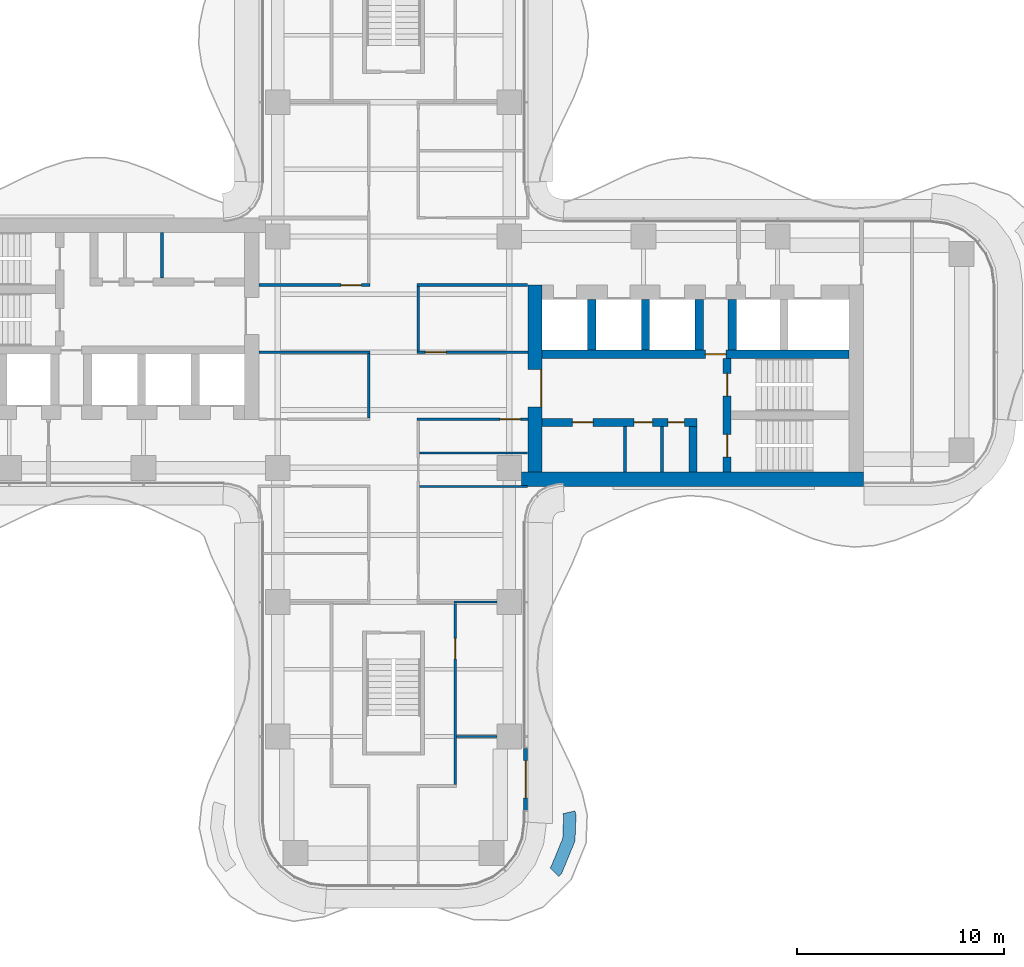
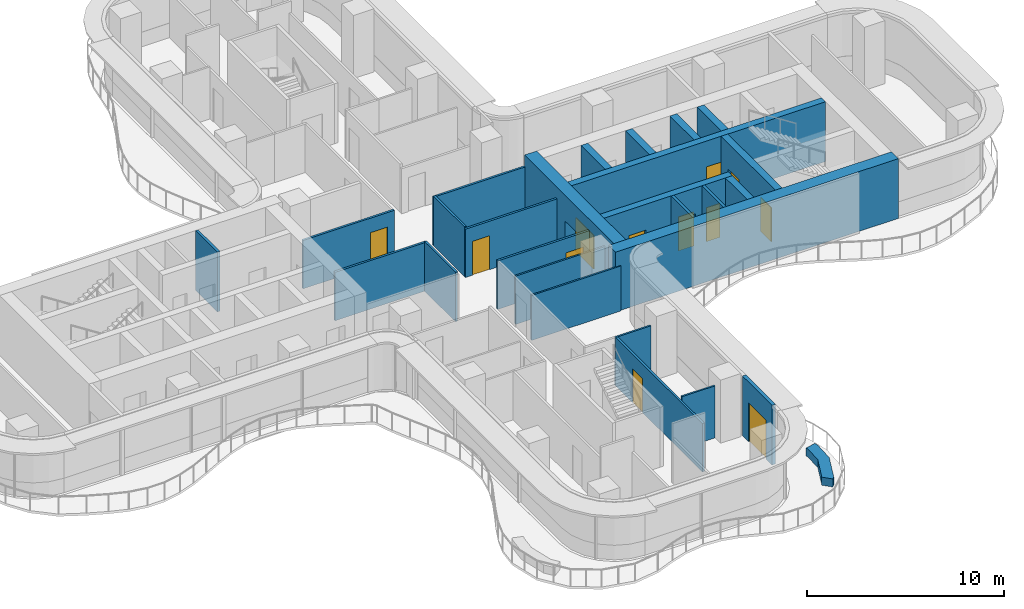
# One storey, part 14 of 18: 27 walls, 12 doors, 12 openings.
"""IFC4 building model written with IfcOpenShell, lengths in metres."""

from ifc_helpers import new_model, si_unit, direction, frame, frame_2d, origin, place, context, subcontext, project, spatial, polyline, rectangle, outline, extrude, source, transform, mapped, material, layer, layer_set, type_object, element, fill, save


model = new_model("IFC4")

# Units and contexts
model_context = context("Model", 3, precision=1e-05, world=origin(), true_north=direction((0.0, 1.0)))
body_context = subcontext(model_context, "Body", "Model", "MODEL_VIEW")
ifc_project = project(units=[si_unit("LENGTHUNIT", "METRE"), si_unit("AREAUNIT", "SQUARE_METRE"), si_unit("VOLUMEUNIT", "CUBIC_METRE"), si_unit("PLANEANGLEUNIT", "RADIAN"), si_unit("MASSUNIT", "GRAM", prefix="KILO")], contexts=[model_context])

# Site, building, storey
site_placement = place(None, origin())
site = spatial("IfcSite", under=ifc_project, at=site_placement, CompositionType="ELEMENT")
building_placement = place(site_placement, origin())
building = spatial("IfcBuilding", under=site, at=building_placement, Name="Trellis Farm Tower", CompositionType="ELEMENT")
storey_placement = place(building_placement, frame((0.0, 0.0, 177.60009765625)))
storey = spatial("IfcBuildingStorey", under=building, at=storey_placement, Name="L38", CompositionType="ELEMENT", Elevation=177.60009765625)

# Wall
ifc_material_1 = material(Name="Sandstone faced masonry planter", Category="masonry")
ifc_layer_1 = layer(ifc_material_1, 0.60009765625)
ifc_layer_set_1 = layer_set([ifc_layer_1], Name="PLANTER BED 600")
wall_type_1 = type_object("IfcWallType", Name="PLANTER BED 600", PredefinedType="USERDEFINED", material=ifc_layer_set_1)
wall_1_placement = place(storey_placement, origin())
element("IfcWall", 1, at=wall_1_placement, inside=storey, type_object=wall_type_1, Name="PLANTER bed", ObjectType="PLANTER", PredefinedType="USERDEFINED", context=body_context, shape_type="SweptSolid", body=[
    extrude(outline(polyline([(8.7880859375, -23.66845703125), (8.131591796875, -25.26220703125), (7.998046875, -25.390869140625), (7.58154296875, -24.958984375), (7.62451171875, -24.91748046875), (8.192626953125, -23.53857421875), (8.23388671875, -22.481201171875), (8.201904296875, -22.3427734375), (8.7861328125, -22.207275390625), (8.836669921875, -22.424072265625), (8.7880859375, -23.66845703125)])), origin(), (0.0, 0.0, 1.0), 0.5),
])

# Wall, opening, door
ifc_material_2 = material(Name="Concrete C70/85", Category="concrete")
ifc_layer_2 = layer(ifc_material_2, 0.699951171875)
ifc_layer_set_2 = layer_set([ifc_layer_2], Name="CORE OUTER WALL 700 CONCRETE C70/85")
wall_type_2 = type_object("IfcWallType", Name="CORE OUTER WALL 700 CONCRETE C70/85", PredefinedType="SHEAR", material=ifc_layer_set_2)
shared_shape_1 = source(origin(), body_context, "Body", "SweptSolid", [
    extrude(rectangle(XDim=9.050048828125, YDim=0.699951171875, at=frame_2d((4.52490234375, 0.0))), origin(), (0.0, 0.0, 1.0), 3.699951171875),
])
wall_2_placement = place(storey_placement, frame((6.85009765625, -5.800048828125, 0.0), z_axis=(0.0, 0.0, 1.0), x_axis=(0.0, 1.0, 0.0)))
wall_2 = element("IfcWall", 2, at=wall_2_placement, inside=storey, type_object=wall_type_2, Name="Core wall", PredefinedType="SHEAR", context=body_context, shape_type="MappedRepresentation", body=[
    mapped(shared_shape_1, transform((0.0, 0.0, 0.0))),
])
shared_shape_2 = source(origin(), body_context, "Body", "SweptSolid", [
    extrude(rectangle(XDim=1.800048828125, YDim=2.10009765625, at=frame_2d((0.89990234375, 1.050048828125))), frame((0.0, 0.360107421875, 0.0), z_axis=(0.0, -1.0, 0.0), x_axis=(1.0, 0.0, 0.0)), (0.0, 0.0, 1.0), 0.72021484375),
])
opening_1_placement = place(wall_2_placement, frame((3.14990234375, 0.0, 0.0)))
opening_1 = element("IfcOpeningElement", 3, at=opening_1_placement, cuts=wall_2, Name="Opening DC1", PredefinedType="OPENING", context=body_context, shape_type="MappedRepresentation", body=[
    mapped(shared_shape_2, transform((0.0, 0.0, 0.0))),
])
ifc_material_3 = material(Name="Steel", Category="steel")
door_type_1 = type_object("IfcDoorType", Name="CORE FIRE DOOR DOUBLE 1800 X 2100", OperationType="DOUBLE_DOOR_SINGLE_SWING", PredefinedType="DOOR", material=ifc_material_3)
shared_shape_3 = source(origin(), body_context, "Body", "SweptSolid", [
    extrude(rectangle(XDim=1.800048828125, YDim=2.10009765625, at=frame_2d((0.89990234375, 1.050048828125))), frame((0.0, -0.27490234375, 0.0), z_axis=(0.0, -1.0, 0.0), x_axis=(1.0, 0.0, 0.0)), (0.0, 0.0, 1.0), 0.050048828125),
])
door_1_placement = place(opening_1_placement, origin())
door_1 = element("IfcDoor", 4, at=door_1_placement, inside=storey, type_object=door_type_1, Name="Core door", OperationType="DOUBLE_DOOR_SINGLE_SWING", OverallHeight=2.10009765625, OverallWidth=1.800048828125, PredefinedType="DOOR", context=body_context, shape_type="MappedRepresentation", body=[
    mapped(shared_shape_3, transform((0.0, 0.0, 0.0))),
])
fill(opening_1, door_1)

# Walls
ifc_layer_3 = layer(ifc_material_2, 0.39990234375)
ifc_layer_set_3 = layer_set([ifc_layer_3], Name="CORE INNER WALL 400 CONCRETE C70/85")
wall_type_3 = type_object("IfcWallType", Name="CORE INNER WALL 400 CONCRETE C70/85", PredefinedType="SHEAR", material=ifc_layer_set_3)
shared_shape_4 = source(origin(), body_context, "Body", "SweptSolid", [
    extrude(rectangle(XDim=2.449951171875, YDim=0.39990234375, at=frame_2d((1.22509765625, 0.0))), origin(), (0.0, 0.0, 1.0), 3.699951171875),
])
for number, where, z_axis, x_axis, name in (
    (5, (9.60009765625, 0.10009765625, 0.0), (0.0, 0.0, 1.0), (0.0, 1.0, 0.0), "Core wall"),
    (6, (12.199951171875, 0.10009765625, 0.0), (0.0, 0.0, 1.0), (0.0, 1.0, 0.0), "Core wall"),
    (7, (14.800048828125, 0.10009765625, 0.0), (0.0, 0.0, 1.0), (0.0, 1.0, 0.0), "Core wall"),
    (8, (16.39990234375, 0.10009765625, 0.0), (0.0, 0.0, 1.0), (0.0, 1.0, 0.0), "Core wall"),
):
    element("IfcWall", number, at=place(storey_placement, frame(where, z_axis=z_axis, x_axis=x_axis)), inside=storey, type_object=wall_type_3, Name=name, PredefinedType="SHEAR", context=body_context, shape_type="MappedRepresentation", body=[
        mapped(shared_shape_4, transform((0.0, 0.0, 0.0))),
    ])
shared_shape_5 = source(origin(), body_context, "Body", "SweptSolid", [
    extrude(rectangle(XDim=16.550048828125, YDim=0.699951171875, at=frame_2d((8.27490234375, 0.0))), origin(), (0.0, 0.0, 1.0), 3.699951171875),
])
wall_3_placement = place(storey_placement, frame((6.199951171875, -6.14990234375, 0.0), z_axis=(0.0, 0.0, 1.0), x_axis=(1.0, 0.0, 0.0)))
element("IfcWall", 9, at=wall_3_placement, inside=storey, type_object=wall_type_2, Name="Core wall", PredefinedType="SHEAR", context=body_context, shape_type="MappedRepresentation", body=[
    mapped(shared_shape_5, transform((0.0, 0.0, 0.0))),
])

# Wall, openings, doors
shared_shape_6 = source(origin(), body_context, "Body", "SweptSolid", [
    extrude(rectangle(XDim=7.5, YDim=0.39990234375, at=frame_2d((3.75, 0.0))), origin(), (0.0, 0.0, 1.0), 3.699951171875),
])
wall_4_placement = place(storey_placement, frame((7.199951171875, -3.39990234375, 0.0), z_axis=(0.0, 0.0, 1.0), x_axis=(1.0, 0.0, 0.0)))
wall_4 = element("IfcWall", 10, at=wall_4_placement, inside=storey, type_object=wall_type_3, Name="Core wall", PredefinedType="SHEAR", context=body_context, shape_type="MappedRepresentation", body=[
    mapped(shared_shape_6, transform((0.0, 0.0, 0.0))),
])
shared_shape_7 = source(origin(), body_context, "Body", "SweptSolid", [
    extrude(rectangle(XDim=1.0, YDim=2.10009765625, at=frame_2d((0.5, 1.050048828125))), frame((0.0, 0.2099609375, 0.0), z_axis=(0.0, -1.0, 0.0), x_axis=(1.0, 0.0, 0.0)), (0.0, 0.0, 1.0), 0.419921875),
])
opening_2_placement = place(wall_4_placement, frame((1.46240234375, 0.0, 0.0)))
opening_2 = element("IfcOpeningElement", 11, at=opening_2_placement, cuts=wall_4, Name="Opening DC55", PredefinedType="OPENING", context=body_context, shape_type="MappedRepresentation", body=[
    mapped(shared_shape_7, transform((0.0, 0.0, 0.0))),
])
shared_shape_8 = source(origin(), body_context, "Body", "SweptSolid", [
    extrude(rectangle(XDim=0.89990234375, YDim=2.10009765625, at=frame_2d((0.449951171875, 1.050048828125))), frame((0.0, 0.2099609375, 0.0), z_axis=(0.0, -1.0, 0.0), x_axis=(1.0, 0.0, 0.0)), (0.0, 0.0, 1.0), 0.419921875),
])
opening_3_placement = place(wall_4_placement, frame((4.449951171875, 0.0, 0.0)))
opening_3 = element("IfcOpeningElement", 12, at=opening_3_placement, cuts=wall_4, Name="Opening DC60", PredefinedType="OPENING", context=body_context, shape_type="MappedRepresentation", body=[
    mapped(shared_shape_8, transform((0.0, 0.0, 0.0))),
])
shared_shape_9 = source(origin(), body_context, "Body", "SweptSolid", [
    extrude(rectangle(XDim=0.800048828125, YDim=2.10009765625, at=frame_2d((0.39990234375, 1.050048828125))), frame((0.0, 0.2099609375, 0.0), z_axis=(0.0, -1.0, 0.0), x_axis=(1.0, 0.0, 0.0)), (0.0, 0.0, 1.0), 0.419921875),
])
opening_4_placement = place(wall_4_placement, frame((6.08740234375, 0.0, 0.0)))
opening_4 = element("IfcOpeningElement", 13, at=opening_4_placement, cuts=wall_4, Name="Opening DC63", PredefinedType="OPENING", context=body_context, shape_type="MappedRepresentation", body=[
    mapped(shared_shape_9, transform((0.0, 0.0, 0.0))),
])
door_type_2 = type_object("IfcDoorType", Name="CORE FIRE DOOR 1000 X 2100", OperationType="NOTDEFINED", PredefinedType="DOOR", material=ifc_material_3)
shared_shape_10 = source(origin(), body_context, "Body", "SweptSolid", [
    extrude(rectangle(XDim=1.0, YDim=2.10009765625, at=frame_2d((0.5, 1.050048828125))), frame((0.0, 0.02490234375, 0.0), z_axis=(0.0, -1.0, 0.0), x_axis=(1.0, 0.0, 0.0)), (0.0, 0.0, 1.0), 0.050048828125),
])
door_2_placement = place(opening_2_placement, origin())
door_2 = element("IfcDoor", 14, at=door_2_placement, inside=storey, type_object=door_type_2, Name="Core door", OperationType="SINGLE_SWING_LEFT", OverallHeight=2.10009765625, OverallWidth=1.0, PredefinedType="DOOR", context=body_context, shape_type="MappedRepresentation", body=[
    mapped(shared_shape_10, transform((0.0, 0.0, 0.0))),
])
fill(opening_2, door_2)
door_type_3 = type_object("IfcDoorType", Name="CORE FIRE DOOR 900 X 2100", OperationType="NOTDEFINED", PredefinedType="DOOR", material=ifc_material_3)
shared_shape_11 = source(origin(), body_context, "Body", "SweptSolid", [
    extrude(rectangle(XDim=0.89990234375, YDim=2.10009765625, at=frame_2d((0.449951171875, 1.050048828125))), frame((0.0, 0.02490234375, 0.0), z_axis=(0.0, -1.0, 0.0), x_axis=(1.0, 0.0, 0.0)), (0.0, 0.0, 1.0), 0.050048828125),
])
door_3_placement = place(opening_3_placement, origin())
door_3 = element("IfcDoor", 15, at=door_3_placement, inside=storey, type_object=door_type_3, Name="Core door", OperationType="SINGLE_SWING_RIGHT", OverallHeight=2.10009765625, OverallWidth=0.89990234375, PredefinedType="DOOR", context=body_context, shape_type="MappedRepresentation", body=[
    mapped(shared_shape_11, transform((0.0, 0.0, 0.0))),
])
fill(opening_3, door_3)
door_type_4 = type_object("IfcDoorType", Name="CORE FIRE DOOR 800 X 2100", OperationType="NOTDEFINED", PredefinedType="DOOR", material=ifc_material_3)
shared_shape_12 = source(origin(), body_context, "Body", "SweptSolid", [
    extrude(rectangle(XDim=0.800048828125, YDim=2.10009765625, at=frame_2d((0.39990234375, 1.050048828125))), frame((0.0, 0.02490234375, 0.0), z_axis=(0.0, -1.0, 0.0), x_axis=(1.0, 0.0, 0.0)), (0.0, 0.0, 1.0), 0.050048828125),
])
door_4_placement = place(opening_4_placement, origin())
door_4 = element("IfcDoor", 16, at=door_4_placement, inside=storey, type_object=door_type_4, Name="Core door", OperationType="SINGLE_SWING_LEFT", OverallHeight=2.10009765625, OverallWidth=0.800048828125, PredefinedType="DOOR", context=body_context, shape_type="MappedRepresentation", body=[
    mapped(shared_shape_12, transform((0.0, 0.0, 0.0))),
])
fill(opening_4, door_4)

# Wall, opening, door
shared_shape_13 = source(origin(), body_context, "Body", "SweptSolid", [
    extrude(rectangle(XDim=14.85009765625, YDim=0.39990234375, at=frame_2d((7.425048828125, 0.0))), origin(), (0.0, 0.0, 1.0), 3.699951171875),
])
wall_5_placement = place(storey_placement, frame((7.199951171875, -0.10009765625, 0.0), z_axis=(0.0, 0.0, 1.0), x_axis=(1.0, 0.0, 0.0)))
wall_5 = element("IfcWall", 17, at=wall_5_placement, inside=storey, type_object=wall_type_3, Name="Core wall", PredefinedType="SHEAR", context=body_context, shape_type="MappedRepresentation", body=[
    mapped(shared_shape_13, transform((0.0, 0.0, 0.0))),
])
opening_5_placement = place(wall_5_placement, frame((7.89990234375, 0.0, 0.0)))
opening_5 = element("IfcOpeningElement", 18, at=opening_5_placement, cuts=wall_5, Name="Opening DC5", PredefinedType="OPENING", context=body_context, shape_type="MappedRepresentation", body=[
    mapped(shared_shape_7, transform((0.0, 0.0, 0.0))),
])
door_5_placement = place(opening_5_placement, origin())
door_5 = element("IfcDoor", 19, at=door_5_placement, inside=storey, type_object=door_type_2, Name="Core door", OperationType="SINGLE_SWING_RIGHT", OverallHeight=2.10009765625, OverallWidth=1.0, PredefinedType="DOOR", context=body_context, shape_type="MappedRepresentation", body=[
    mapped(shared_shape_10, transform((0.0, 0.0, 0.0))),
])
fill(opening_5, door_5)

# Wall, openings, doors
shared_shape_14 = source(origin(), body_context, "Body", "SweptSolid", [
    extrude(rectangle(XDim=5.5, YDim=0.39990234375, at=frame_2d((2.75, 0.0))), origin(), (0.0, 0.0, 1.0), 3.699951171875),
])
wall_6_placement = place(storey_placement, frame((16.14990234375, -5.800048828125, 0.0), z_axis=(0.0, 0.0, 1.0), x_axis=(0.0, 1.0, 0.0)))
wall_6 = element("IfcWall", 20, at=wall_6_placement, inside=storey, type_object=wall_type_3, Name="Core wall", PredefinedType="SHEAR", context=body_context, shape_type="MappedRepresentation", body=[
    mapped(shared_shape_14, transform((0.0, 0.0, 0.0))),
])
shared_shape_15 = source(origin(), body_context, "Body", "SweptSolid", [
    extrude(rectangle(XDim=1.10009765625, YDim=2.10009765625, at=frame_2d((0.550048828125, 1.050048828125))), frame((0.0, 0.2099609375, 0.0), z_axis=(0.0, -1.0, 0.0), x_axis=(1.0, 0.0, 0.0)), (0.0, 0.0, 1.0), 0.419921875),
])
opening_6_placement = place(wall_6_placement, frame((0.72509765625, 0.0, 0.0)))
opening_6 = element("IfcOpeningElement", 21, at=opening_6_placement, cuts=wall_6, Name="Opening DC2", PredefinedType="OPENING", context=body_context, shape_type="MappedRepresentation", body=[
    mapped(shared_shape_15, transform((0.0, 0.0, 0.0))),
])
opening_7_placement = place(wall_6_placement, frame((3.675048828125, 0.0, 0.0)))
opening_7 = element("IfcOpeningElement", 22, at=opening_7_placement, cuts=wall_6, Name="Opening DC3", PredefinedType="OPENING", context=body_context, shape_type="MappedRepresentation", body=[
    mapped(shared_shape_15, transform((0.0, 0.0, 0.0))),
])
door_type_5 = type_object("IfcDoorType", Name="CORE FIRE DOOR 1100 X 2100", OperationType="NOTDEFINED", PredefinedType="DOOR", material=ifc_material_3)
shared_shape_16 = source(origin(), body_context, "Body", "SweptSolid", [
    extrude(rectangle(XDim=1.10009765625, YDim=2.10009765625, at=frame_2d((0.550048828125, 1.050048828125))), frame((0.0, 0.02490234375, 0.0), z_axis=(0.0, -1.0, 0.0), x_axis=(1.0, 0.0, 0.0)), (0.0, 0.0, 1.0), 0.050048828125),
])
door_6_placement = place(opening_6_placement, origin())
door_6 = element("IfcDoor", 23, at=door_6_placement, inside=storey, type_object=door_type_5, Name="Core door", OperationType="SINGLE_SWING_RIGHT", OverallHeight=2.10009765625, OverallWidth=1.10009765625, PredefinedType="DOOR", context=body_context, shape_type="MappedRepresentation", body=[
    mapped(shared_shape_16, transform((0.0, 0.0, 0.0))),
])
fill(opening_6, door_6)
door_7_placement = place(opening_7_placement, origin())
door_7 = element("IfcDoor", 24, at=door_7_placement, inside=storey, type_object=door_type_5, Name="Core door", OperationType="SINGLE_SWING_LEFT", OverallHeight=2.10009765625, OverallWidth=1.10009765625, PredefinedType="DOOR", context=body_context, shape_type="MappedRepresentation", body=[
    mapped(shared_shape_16, transform((0.0, 0.0, 0.0))),
])
fill(opening_7, door_7)

# Walls
shared_shape_17 = source(origin(), body_context, "Body", "SweptSolid", [
    extrude(rectangle(XDim=2.199951171875, YDim=0.39990234375, at=frame_2d((1.10009765625, 0.0))), origin(), (0.0, 0.0, 1.0), 3.699951171875),
])
wall_7_placement = place(storey_placement, frame((14.5, -5.800048828125, 0.0), z_axis=(0.0, 0.0, 1.0), x_axis=(0.0, 1.0, 0.0)))
element("IfcWall", 25, at=wall_7_placement, inside=storey, type_object=wall_type_3, Name="Core wall", PredefinedType="SHEAR", context=body_context, shape_type="MappedRepresentation", body=[
    mapped(shared_shape_17, transform((0.0, 0.0, 0.0))),
])
ifc_material_4 = material(Name="Masonry blockwork", Category="masonry")
ifc_layer_4 = layer(ifc_material_4, 0.14990234375)
ifc_layer_set_4 = layer_set([ifc_layer_4], Name="CORE PARTITION 150 BLOCKWORK")
wall_type_4 = type_object("IfcWallType", Name="CORE PARTITION 150 BLOCKWORK", PredefinedType="PARTITIONING", material=ifc_layer_set_4)
shared_shape_18 = source(origin(), body_context, "Body", "SweptSolid", [
    extrude(rectangle(XDim=2.199951171875, YDim=0.14990234375, at=frame_2d((1.10009765625, 0.0))), origin(), (0.0, 0.0, 1.0), 3.699951171875),
])
for number, where, z_axis, x_axis, name in (
    (26, (11.199951171875, -5.800048828125, 0.0), (0.0, 0.0, 1.0), (0.0, 1.0, 0.0), "Core room partition"),
    (27, (13.0, -5.800048828125, 0.0), (0.0, 0.0, 1.0), (0.0, 1.0, 0.0), "Core room partition"),
    (28, (-11.199951171875, 5.800048828125, 0.0), (0.0, 0.0, 1.0), (0.0, -1.0, 0.0), "Core room partition"),
):
    element("IfcWall", number, at=place(storey_placement, frame(where, z_axis=z_axis, x_axis=x_axis)), inside=storey, type_object=wall_type_4, Name=name, PredefinedType="PARTITIONING", context=body_context, shape_type="MappedRepresentation", body=[
        mapped(shared_shape_18, transform((0.0, 0.0, 0.0))),
    ])

# Wall, opening, door
ifc_material_5 = material(Name="Sandstone faced insulated wall", Category="masonry")
ifc_layer_5 = layer(ifc_material_5, 0.199951171875)
ifc_layer_set_5 = layer_set([ifc_layer_5], Name="EXTERNAL INFILL WALL 200")
wall_type_5 = type_object("IfcWallType", Name="EXTERNAL INFILL WALL 200", PredefinedType="SOLIDWALL", material=ifc_layer_set_5)
shared_shape_19 = source(origin(), body_context, "Body", "SweptSolid", [
    extrude(rectangle(XDim=3.0, YDim=0.199951171875, at=frame_2d((1.5, 0.0))), origin(), (0.0, 0.0, 1.0), 3.699951171875),
])
wall_8_placement = place(storey_placement, frame((6.39990234375, -22.175048828125, 0.0), z_axis=(0.0, 0.0, 1.0), x_axis=(0.0, 1.0, 0.0)))
wall_8 = element("IfcWall", 29, at=wall_8_placement, inside=storey, type_object=wall_type_5, Name="EW1 01", PredefinedType="SOLIDWALL", context=body_context, shape_type="MappedRepresentation", body=[
    mapped(shared_shape_19, transform((0.0, 0.0, 0.0))),
])
shared_shape_20 = source(origin(), body_context, "Body", "SweptSolid", [
    extrude(rectangle(XDim=1.800048828125, YDim=2.39990234375, at=frame_2d((0.89990234375, 1.199951171875))), frame((0.0, 0.110107421875, 0.0), z_axis=(0.0, -1.0, 0.0), x_axis=(1.0, 0.0, 0.0)), (0.0, 0.0, 1.0), 0.22021484375),
])
opening_8_placement = place(wall_8_placement, frame((0.60009765625, 0.0, 0.0)))
opening_8 = element("IfcOpeningElement", 30, at=opening_8_placement, cuts=wall_8, Name="Opening ED1", PredefinedType="OPENING", context=body_context, shape_type="MappedRepresentation", body=[
    mapped(shared_shape_20, transform((0.0, 0.0, 0.0))),
])
ifc_material_6 = material(Name="Aluminium framed glazed door", Category="aluminium")
door_type_6 = type_object("IfcDoorType", Name="BALCONY DOOR 1800x2400", OperationType="DOUBLE_DOOR_SINGLE_SWING", PredefinedType="DOOR", material=ifc_material_6)
shared_shape_21 = source(origin(), body_context, "Body", "SweptSolid", [
    extrude(rectangle(XDim=1.800048828125, YDim=2.39990234375, at=frame_2d((0.89990234375, 1.199951171875))), frame((0.0, 0.02490234375, 0.0), z_axis=(0.0, -1.0, 0.0), x_axis=(1.0, 0.0, 0.0)), (0.0, 0.0, 1.0), 0.050048828125),
])
door_8_placement = place(opening_8_placement, origin())
door_8 = element("IfcDoor", 31, at=door_8_placement, inside=storey, type_object=door_type_6, Name="Balcony door", OperationType="DOUBLE_DOOR_SINGLE_SWING", OverallHeight=2.39990234375, OverallWidth=1.800048828125, PredefinedType="DOOR", context=body_context, shape_type="MappedRepresentation", body=[
    mapped(shared_shape_21, transform((0.0, 0.0, 0.0))),
])
fill(opening_8, door_8)

ifc_material_7 = material(Name="Plasterboard on steel studs, mineral wool", Category="steel")
ifc_layer_6 = layer(ifc_material_7, 0.125)
ifc_layer_set_6 = layer_set([ifc_layer_6], Name="PARTITION 125 STUD EI 60")
wall_type_6 = type_object("IfcWallType", Name="PARTITION 125 STUD EI 60", PredefinedType="PARTITIONING", material=ifc_layer_set_6)
shared_shape_22 = source(origin(), body_context, "Body", "SweptSolid", [
    extrude(rectangle(XDim=5.362548828125, YDim=0.125, at=frame_2d((2.68115234375, 0.0))), origin(), (0.0, 0.0, 1.0), 2.99658203125),
])
wall_9_placement = place(storey_placement, frame((6.5, -3.25, 0.0), z_axis=(0.0, 0.0, 1.0), x_axis=(-1.0, 0.0, 0.0)))
wall_9 = element("IfcWall", 32, at=wall_9_placement, inside=storey, type_object=wall_type_6, Name="Partition PW1", PredefinedType="PARTITIONING", context=body_context, shape_type="MappedRepresentation", body=[
    mapped(shared_shape_22, transform((0.0, 0.0, 0.0))),
])
shared_shape_23 = source(origin(), body_context, "Body", "SweptSolid", [
    extrude(rectangle(XDim=1.0, YDim=2.10009765625, at=frame_2d((0.5, 1.050048828125))), frame((0.0, 0.072509765625, 0.0), z_axis=(0.0, -1.0, 0.0), x_axis=(1.0, 0.0, 0.0)), (0.0, 0.0, 1.0), 0.14501953125),
])
opening_9_placement = place(wall_9_placement, frame((0.35009765625, 0.0, 0.0)))
opening_9 = element("IfcOpeningElement", 33, at=opening_9_placement, cuts=wall_9, Name="Opening D110", PredefinedType="OPENING", context=body_context, shape_type="MappedRepresentation", body=[
    mapped(shared_shape_23, transform((0.0, 0.0, 0.0))),
])
ifc_material_8 = material(Name="Fire-rated timber door leaf in a hollow metal frame", Category="wood")
door_type_7 = type_object("IfcDoorType", Name="DOOR 1000x2100 FD30S", OperationType="NOTDEFINED", PredefinedType="DOOR", material=ifc_material_8)
door_9_placement = place(opening_9_placement, origin())
door_9 = element("IfcDoor", 34, at=door_9_placement, inside=storey, type_object=door_type_7, Name="Door D110", OperationType="SINGLE_SWING_LEFT", OverallHeight=2.10009765625, OverallWidth=1.0, PredefinedType="DOOR", context=body_context, shape_type="MappedRepresentation", body=[
    mapped(shared_shape_10, transform((0.0, 0.0, 0.0))),
])
fill(opening_9, door_9)

# Wall
wall_10_placement = place(storey_placement, frame((-1.137451171875, 0.0, 0.0), z_axis=(0.0, 0.0, 1.0), x_axis=(-1.0, 0.0, 0.0)))
element("IfcWall", 35, at=wall_10_placement, inside=storey, type_object=wall_type_6, Name="Partition PW1", PredefinedType="PARTITIONING", context=body_context, shape_type="MappedRepresentation", body=[
    mapped(shared_shape_22, transform((0.0, 0.0, 0.0))),
])

# Wall, opening, door
wall_11_placement = place(storey_placement, frame((6.5, 0.0, 0.0), z_axis=(0.0, 0.0, 1.0), x_axis=(-1.0, 0.0, 0.0)))
wall_11 = element("IfcWall", 36, at=wall_11_placement, inside=storey, type_object=wall_type_6, Name="Partition PW1", PredefinedType="PARTITIONING", context=body_context, shape_type="MappedRepresentation", body=[
    mapped(shared_shape_22, transform((0.0, 0.0, 0.0))),
])
opening_10_placement = place(wall_11_placement, frame((3.949951171875, 0.0, 0.0)))
opening_10 = element("IfcOpeningElement", 37, at=opening_10_placement, cuts=wall_11, Name="Opening D111", PredefinedType="OPENING", context=body_context, shape_type="MappedRepresentation", body=[
    mapped(shared_shape_23, transform((0.0, 0.0, 0.0))),
])
door_10_placement = place(opening_10_placement, origin())
door_10 = element("IfcDoor", 38, at=door_10_placement, inside=storey, type_object=door_type_7, Name="Door D111", OperationType="SINGLE_SWING_RIGHT", OverallHeight=2.10009765625, OverallWidth=1.0, PredefinedType="DOOR", context=body_context, shape_type="MappedRepresentation", body=[
    mapped(shared_shape_10, transform((0.0, 0.0, 0.0))),
])
fill(opening_10, door_10)

wall_12_placement = place(storey_placement, frame((-6.5, 3.25, 0.0), z_axis=(0.0, 0.0, 1.0), x_axis=(1.0, 0.0, 0.0)))
wall_12 = element("IfcWall", 39, at=wall_12_placement, inside=storey, type_object=wall_type_6, Name="Partition PW1", PredefinedType="PARTITIONING", context=body_context, shape_type="MappedRepresentation", body=[
    mapped(shared_shape_22, transform((0.0, 0.0, 0.0))),
])
opening_11_placement = place(wall_12_placement, frame((3.949951171875, 0.0, 0.0)))
opening_11 = element("IfcOpeningElement", 40, at=opening_11_placement, cuts=wall_12, Name="Opening D301", PredefinedType="OPENING", context=body_context, shape_type="MappedRepresentation", body=[
    mapped(shared_shape_23, transform((0.0, 0.0, 0.0))),
])
door_type_8 = type_object("IfcDoorType", Name="DOOR 1000x2100 FD60", OperationType="NOTDEFINED", PredefinedType="DOOR", material=ifc_material_8)
door_11_placement = place(opening_11_placement, origin())
door_11 = element("IfcDoor", 41, at=door_11_placement, inside=storey, type_object=door_type_8, Name="Door D301", OperationType="SINGLE_SWING_RIGHT", OverallHeight=2.10009765625, OverallWidth=1.0, PredefinedType="DOOR", context=body_context, shape_type="MappedRepresentation", body=[
    mapped(shared_shape_10, transform((0.0, 0.0, 0.0))),
])
fill(opening_11, door_11)

# Walls
wall_13_placement = place(storey_placement, frame((1.137451171875, 3.25, 0.0), z_axis=(0.0, 0.0, 1.0), x_axis=(1.0, 0.0, 0.0)))
element("IfcWall", 42, at=wall_13_placement, inside=storey, type_object=wall_type_6, Name="Partition PW1", PredefinedType="PARTITIONING", context=body_context, shape_type="MappedRepresentation", body=[
    mapped(shared_shape_22, transform((0.0, 0.0, 0.0))),
])
ifc_material_9 = material(Name="Plasterboard on steel studs", Category="steel")
ifc_layer_7 = layer(ifc_material_9, 0.10009765625)
ifc_layer_set_7 = layer_set([ifc_layer_7], Name="PARTITION 100 STUD EI 30")
wall_type_7 = type_object("IfcWallType", Name="PARTITION 100 STUD EI 30", PredefinedType="PARTITIONING", material=ifc_layer_set_7)
shared_shape_24 = source(origin(), body_context, "Body", "SweptSolid", [
    extrude(rectangle(XDim=2.0625, YDim=0.10009765625, at=frame_2d((1.03125, 0.0))), origin(), (0.0, 0.0, 1.0), 2.99658203125),
])
wall_14_placement = place(storey_placement, frame((2.9375, -12.10009765625, 0.0), z_axis=(0.0, 0.0, 1.0), x_axis=(1.0, 0.0, 0.0)))
element("IfcWall", 43, at=wall_14_placement, inside=storey, type_object=wall_type_7, Name="Partition PW2", PredefinedType="PARTITIONING", context=body_context, shape_type="MappedRepresentation", body=[
    mapped(shared_shape_24, transform((0.0, 0.0, 0.0))),
])
shared_shape_25 = source(origin(), body_context, "Body", "SweptSolid", [
    extrude(rectangle(XDim=5.237548828125, YDim=0.10009765625, at=frame_2d((2.61865234375, 0.0))), origin(), (0.0, 0.0, 1.0), 2.99658203125),
])
wall_15_placement = place(storey_placement, frame((1.262451171875, -4.875, 0.0), z_axis=(0.0, 0.0, 1.0), x_axis=(1.0, 0.0, 0.0)))
element("IfcWall", 44, at=wall_15_placement, inside=storey, type_object=wall_type_7, Name="Partition PW2", PredefinedType="PARTITIONING", context=body_context, shape_type="MappedRepresentation", body=[
    mapped(shared_shape_25, transform((0.0, 0.0, 0.0))),
])

# Wall, opening, door
shared_shape_26 = source(origin(), body_context, "Body", "SweptSolid", [
    extrude(rectangle(XDim=8.78759765625, YDim=0.125, at=frame_2d((4.393798828125, 0.0))), origin(), (0.0, 0.0, 1.0), 2.99658203125),
])
wall_16_placement = place(storey_placement, frame((3.0, -12.14990234375, 0.0), z_axis=(0.0, 0.0, 1.0), x_axis=(0.0, -1.0, 0.0)))
wall_16 = element("IfcWall", 45, at=wall_16_placement, inside=storey, type_object=wall_type_6, Name="Partition PW1", PredefinedType="PARTITIONING", context=body_context, shape_type="MappedRepresentation", body=[
    mapped(shared_shape_26, transform((0.0, 0.0, 0.0))),
])
opening_12_placement = place(wall_16_placement, frame((1.699951171875, 0.0, 0.0)))
opening_12 = element("IfcOpeningElement", 46, at=opening_12_placement, cuts=wall_16, Name="Opening D103", PredefinedType="OPENING", context=body_context, shape_type="MappedRepresentation", body=[
    mapped(shared_shape_23, transform((0.0, 0.0, 0.0))),
])
door_12_placement = place(opening_12_placement, origin())
door_12 = element("IfcDoor", 47, at=door_12_placement, inside=storey, type_object=door_type_7, Name="Door D103", OperationType="SINGLE_SWING_LEFT", OverallHeight=2.10009765625, OverallWidth=1.0, PredefinedType="DOOR", context=body_context, shape_type="MappedRepresentation", body=[
    mapped(shared_shape_10, transform((0.0, 0.0, 0.0))),
])
fill(opening_12, door_12)

# Walls
shared_shape_27 = source(origin(), body_context, "Body", "SweptSolid", [
    extrude(rectangle(XDim=3.125, YDim=0.125, at=frame_2d((1.5625, 0.0))), origin(), (0.0, 0.0, 1.0), 3.067626953125),
])
for number, where, z_axis, x_axis, name in (
    (48, (-1.199951171875, -0.0625, 0.0), (0.0, 0.0, 1.0), (0.0, -1.0, 0.0), "Partition PW1"),
    (49, (1.199951171875, 3.1875, 0.0), (0.0, 0.0, 1.0), (0.0, -1.0, 0.0), "Partition PW1"),
):
    element("IfcWall", number, at=place(storey_placement, frame(where, z_axis=z_axis, x_axis=x_axis)), inside=storey, type_object=wall_type_6, Name=name, PredefinedType="PARTITIONING", context=body_context, shape_type="MappedRepresentation", body=[
        mapped(shared_shape_27, transform((0.0, 0.0, 0.0))),
    ])
shared_shape_28 = source(origin(), body_context, "Body", "SweptSolid", [
    extrude(rectangle(XDim=1.9375, YDim=0.10009765625, at=frame_2d((0.96875, 0.0))), origin(), (0.0, 0.0, 1.0), 3.222900390625),
])
wall_17_placement = place(storey_placement, frame((3.0625, -18.60009765625, 0.0), z_axis=(0.0, 0.0, 1.0), x_axis=(1.0, 0.0, 0.0)))
element("IfcWall", 50, at=wall_17_placement, inside=storey, type_object=wall_type_7, Name="Partition PW2", PredefinedType="PARTITIONING", context=body_context, shape_type="MappedRepresentation", body=[
    mapped(shared_shape_28, transform((0.0, 0.0, 0.0))),
])
shared_shape_29 = source(origin(), body_context, "Body", "SweptSolid", [
    extrude(rectangle(XDim=5.237548828125, YDim=0.10009765625, at=frame_2d((2.61865234375, 0.0))), origin(), (0.0, 0.0, 1.0), 2.77978515625),
])
wall_18_placement = place(storey_placement, frame((1.262451171875, -6.5, 0.0), z_axis=(0.0, 0.0, 1.0), x_axis=(1.0, 0.0, 0.0)))
element("IfcWall", 51, at=wall_18_placement, inside=storey, type_object=wall_type_7, Name="Partition PW2", PredefinedType="PARTITIONING", context=body_context, shape_type="MappedRepresentation", body=[
    mapped(shared_shape_29, transform((0.0, 0.0, 0.0))),
])

save(model, "model.ifc")
